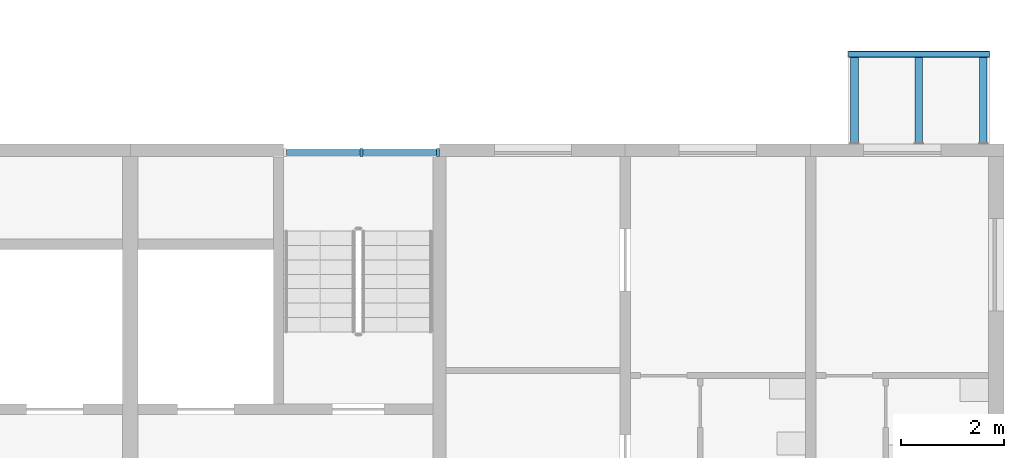
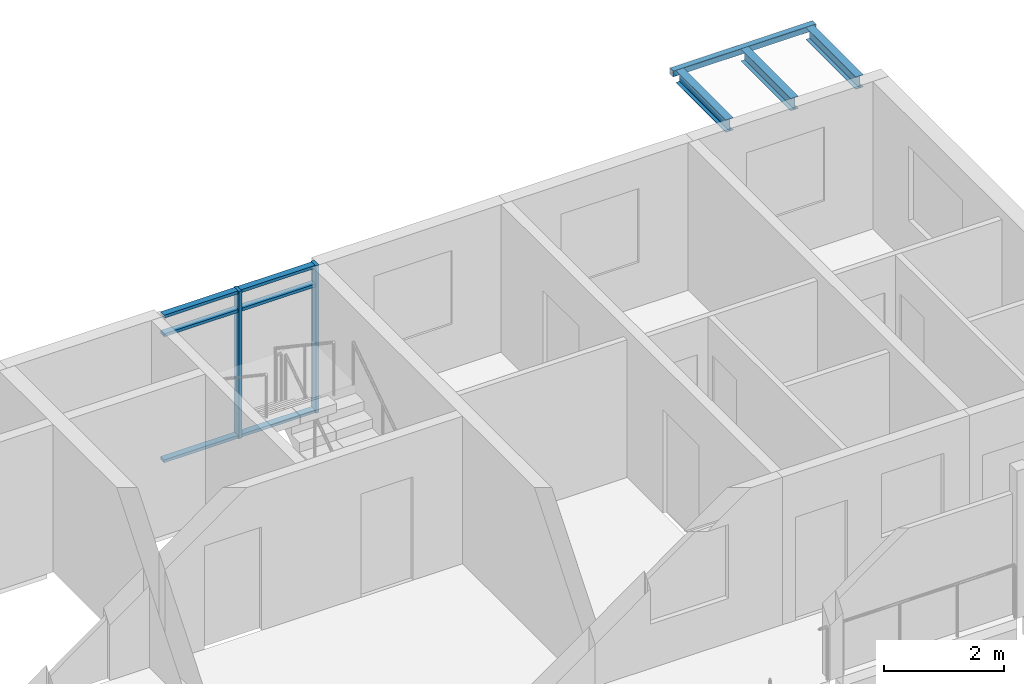
# One storey, part 23 of 98: 8 members, 4 beams, 1 element without a shape of its own.
"""IFC4 building model written with IfcOpenShell, lengths in metres."""

from ifc_helpers import new_model, si_unit, direction, frame, origin, origin_2d, place, context, subcontext, project, spatial, rectangle, hollow_rectangle, i_section, extrude, material, material_profile, profile_set, type_object, element, aggregate, save


model = new_model("IFC4")

# Units and contexts
model_context = context("Model", 3, precision=1e-05, world=origin(), true_north=direction((0.0, 1.0)))
body_context = subcontext(model_context, "Body", "Model", "MODEL_VIEW")
ifc_project = project(units=[si_unit("LENGTHUNIT", "METRE"), si_unit("AREAUNIT", "SQUARE_METRE"), si_unit("VOLUMEUNIT", "CUBIC_METRE"), si_unit("PLANEANGLEUNIT", "RADIAN"), si_unit("MASSUNIT", "GRAM", prefix="KILO")], contexts=[model_context])

# Site, building, storey
site_placement = place(None, origin())
site = spatial("IfcSite", under=ifc_project, at=site_placement, CompositionType="ELEMENT")
building_placement = place(site_placement, origin())
building = spatial("IfcBuilding", under=site, at=building_placement, Name="Ridgestep Commons", CompositionType="ELEMENT")
storey_placement = place(building_placement, frame((0.0, 0.0, 12.0)))
storey = spatial("IfcBuildingStorey", under=building, at=storey_placement, Name="L04", CompositionType="ELEMENT", Elevation=12.0)

# Curtain wall, members
ifc_material_1 = material(Name="Aluminium 6063-T6 and glass", Category="aluminium")
curtain_wall_type = type_object("IfcCurtainWallType", Name="Curtain wall stair strip", PredefinedType="NOTDEFINED", material=ifc_material_1)
curtain_wall_placement = place(storey_placement, origin())
curtain_wall = element("IfcCurtainWall", 1, at=curtain_wall_placement, inside=storey, type_object=curtain_wall_type, Name="Curtain wall C6C level 04", PredefinedType="NOTDEFINED")
ifc_material_2 = material(Name="Aluminium 6063-T6", Category="aluminium")
ifc_material_profile_1 = material_profile(ifc_material_2, rectangle(XDim=0.159912109375, YDim=0.06005859375, at=origin_2d()), Name="Mullion 60 x 160")
ifc_profile_set_1 = profile_set([ifc_material_profile_1], Name="Aluminium 6063-T6")
member_type_1 = type_object("IfcMemberType", Name="Mullion 60 x 160", PredefinedType="MULLION", material=ifc_profile_set_1)
member_1_placement = place(storey_placement, frame((235.28759765625, 77.080078125, 0.0), z_axis=(0.0, 0.0, 1.0), x_axis=(0.0, 1.0, 0.0)))
member_1 = element("IfcMember", 2, at=member_1_placement, type_object=member_type_1, Name="CW1 mullion 2", PredefinedType="MULLION", context=body_context, shape_type="SweptSolid", body=[
    extrude(rectangle(XDim=0.159912109375, YDim=0.06005859375, at=origin_2d()), origin(), (0.0, 0.0, 1.0), 3.0),
])
member_2_placement = place(storey_placement, frame((236.77001953125, 77.080078125, 0.0), z_axis=(0.0, 0.0, 1.0), x_axis=(0.0, 1.0, 0.0)))
member_2 = element("IfcMember", 3, at=member_2_placement, type_object=member_type_1, Name="CW1 mullion 3", PredefinedType="MULLION", context=body_context, shape_type="SweptSolid", body=[
    extrude(rectangle(XDim=0.159912109375, YDim=0.06005859375, at=origin_2d()), origin(), (0.0, 0.0, 1.0), 3.0),
])
ifc_material_3 = material(Name="Aluminium 6063-T6", Category="aluminium")
ifc_material_profile_2 = material_profile(ifc_material_3, rectangle(XDim=0.1201171875, YDim=0.06005859375, at=origin_2d()), Name="Transom 60 x 120")
ifc_profile_set_2 = profile_set([ifc_material_profile_2], Name="Aluminium 6063-T6")
member_type_2 = type_object("IfcMemberType", Name="Transom 60 x 120", PredefinedType="USERDEFINED", material=ifc_profile_set_2)
member_3_placement = place(storey_placement, frame((233.8349609375, 77.080078125, 0.030029296875), z_axis=(1.0, 0.0, 0.0), x_axis=(0.0, 1.0, 0.0)))
member_3 = element("IfcMember", 4, at=member_3_placement, type_object=member_type_2, Name="CW1 transom 1.1", ObjectType="TRANSOM", PredefinedType="USERDEFINED", context=body_context, shape_type="SweptSolid", body=[
    extrude(rectangle(XDim=0.1201171875, YDim=0.06005859375, at=origin_2d()), origin(), (0.0, 0.0, 1.0), 1.422607421875),
])
member_4_placement = place(storey_placement, frame((233.8349609375, 77.080078125, 2.590087890625), z_axis=(1.0, 0.0, 0.0), x_axis=(0.0, 1.0, 0.0)))
member_4 = element("IfcMember", 5, at=member_4_placement, type_object=member_type_2, Name="CW1 transom 1.2", ObjectType="TRANSOM", PredefinedType="USERDEFINED", context=body_context, shape_type="SweptSolid", body=[
    extrude(rectangle(XDim=0.1201171875, YDim=0.06005859375, at=origin_2d()), origin(), (0.0, 0.0, 1.0), 1.422607421875),
])
member_5_placement = place(storey_placement, frame((233.8349609375, 77.080078125, 2.969970703125), z_axis=(1.0, 0.0, 0.0), x_axis=(0.0, 1.0, 0.0)))
member_5 = element("IfcMember", 6, at=member_5_placement, type_object=member_type_2, Name="CW1 transom 1.3", ObjectType="TRANSOM", PredefinedType="USERDEFINED", context=body_context, shape_type="SweptSolid", body=[
    extrude(rectangle(XDim=0.1201171875, YDim=0.06005859375, at=origin_2d()), origin(), (0.0, 0.0, 1.0), 1.422607421875),
])
member_6_placement = place(storey_placement, frame((235.3173828125, 77.080078125, 0.030029296875), z_axis=(1.0, 0.0, 0.0), x_axis=(0.0, 1.0, 0.0)))
member_6 = element("IfcMember", 7, at=member_6_placement, type_object=member_type_2, Name="CW1 transom 2.1", ObjectType="TRANSOM", PredefinedType="USERDEFINED", context=body_context, shape_type="SweptSolid", body=[
    extrude(rectangle(XDim=0.1201171875, YDim=0.06005859375, at=origin_2d()), origin(), (0.0, 0.0, 1.0), 1.422607421875),
])
member_7_placement = place(storey_placement, frame((235.3173828125, 77.080078125, 2.590087890625), z_axis=(1.0, 0.0, 0.0), x_axis=(0.0, 1.0, 0.0)))
member_7 = element("IfcMember", 8, at=member_7_placement, type_object=member_type_2, Name="CW1 transom 2.2", ObjectType="TRANSOM", PredefinedType="USERDEFINED", context=body_context, shape_type="SweptSolid", body=[
    extrude(rectangle(XDim=0.1201171875, YDim=0.06005859375, at=origin_2d()), origin(), (0.0, 0.0, 1.0), 1.422607421875),
])
member_8_placement = place(storey_placement, frame((235.3173828125, 77.080078125, 2.969970703125), z_axis=(1.0, 0.0, 0.0), x_axis=(0.0, 1.0, 0.0)))
member_8 = element("IfcMember", 9, at=member_8_placement, type_object=member_type_2, Name="CW1 transom 2.3", ObjectType="TRANSOM", PredefinedType="USERDEFINED", context=body_context, shape_type="SweptSolid", body=[
    extrude(rectangle(XDim=0.1201171875, YDim=0.06005859375, at=origin_2d()), origin(), (0.0, 0.0, 1.0), 1.422607421875),
])
aggregate(curtain_wall, [member_1, member_2, member_3, member_4, member_5, member_6, member_7, member_8])

# Beams
ifc_material_4 = material(Name="Weathering steel S355J2W", Category="steel")
ifc_material_profile_3 = material_profile(ifc_material_4, i_section(OverallWidth=0.14599609375, OverallDepth=0.25146484375, WebThickness=0.006103515625, FlangeThickness=0.008544921875, FilletRadius=0.007568359375, at=origin_2d()), Name="UB 254x146x31")
ifc_profile_set_3 = profile_set([ifc_material_profile_3], Name="Weathering steel S355J2W")
beam_type_1 = type_object("IfcBeamType", Name="Tray arm UB 254x146x31", PredefinedType="BEAM", material=ifc_profile_set_3)
for number, where, z_axis, x_axis, name in (
    (10, (244.85009765625, 77.264892578125, 2.8642578125), (0.0, 1.0, 0.0), (-1.0, 0.0, 0.0), "Tray arm C6T1-05.1"),
    (11, (246.10009765625, 77.264892578125, 2.8642578125), (0.0, 1.0, 0.0), (-1.0, 0.0, 0.0), "Tray arm C6T1-05.2"),
    (12, (247.35009765625, 77.264892578125, 2.8642578125), (0.0, 1.0, 0.0), (-1.0, 0.0, 0.0), "Tray arm C6T1-05.3"),
):
    element("IfcBeam", number, at=place(storey_placement, frame(where, z_axis=z_axis, x_axis=x_axis)), inside=storey, type_object=beam_type_1, Name=name, PredefinedType="BEAM", context=body_context, shape_type="SweptSolid", body=[
        extrude(i_section(OverallWidth=0.14599609375, OverallDepth=0.25146484375, WebThickness=0.006103515625, FlangeThickness=0.008544921875, FilletRadius=0.007568359375, at=origin_2d()), origin(), (0.0, 0.0, 1.0), 1.6650390625),
    ])
ifc_material_5 = material(Name="Weathering steel S355J2W", Category="steel")
ifc_material_profile_4 = material_profile(ifc_material_5, hollow_rectangle(XDim=0.1201171875, YDim=0.1201171875, WallThickness=0.00634765625, InnerFilletRadius=0.00634765625, OuterFilletRadius=0.009521484375, at=origin_2d()), Name="SHS 120x120x6.3")
ifc_profile_set_4 = profile_set([ifc_material_profile_4], Name="Weathering steel S355J2W")
beam_type_2 = type_object("IfcBeamType", Name="Tray edge member SHS 120x120x6.3", PredefinedType="BEAM", material=ifc_profile_set_4)
beam_placement = place(storey_placement, frame((244.72998046875, 78.989990234375, 2.929931640625), z_axis=(1.0, 0.0, 0.0), x_axis=(0.0, 0.0, 1.0)))
element("IfcBeam", 13, at=beam_placement, inside=storey, type_object=beam_type_2, Name="Tray edge member C6T1-05", PredefinedType="BEAM", context=body_context, shape_type="SweptSolid", body=[
    extrude(hollow_rectangle(XDim=0.1201171875, YDim=0.1201171875, WallThickness=0.00634765625, InnerFilletRadius=0.00634765625, OuterFilletRadius=0.009521484375, at=origin_2d()), origin(), (0.0, 0.0, 1.0), 2.739990234375),
])

save(model, "model.ifc")
